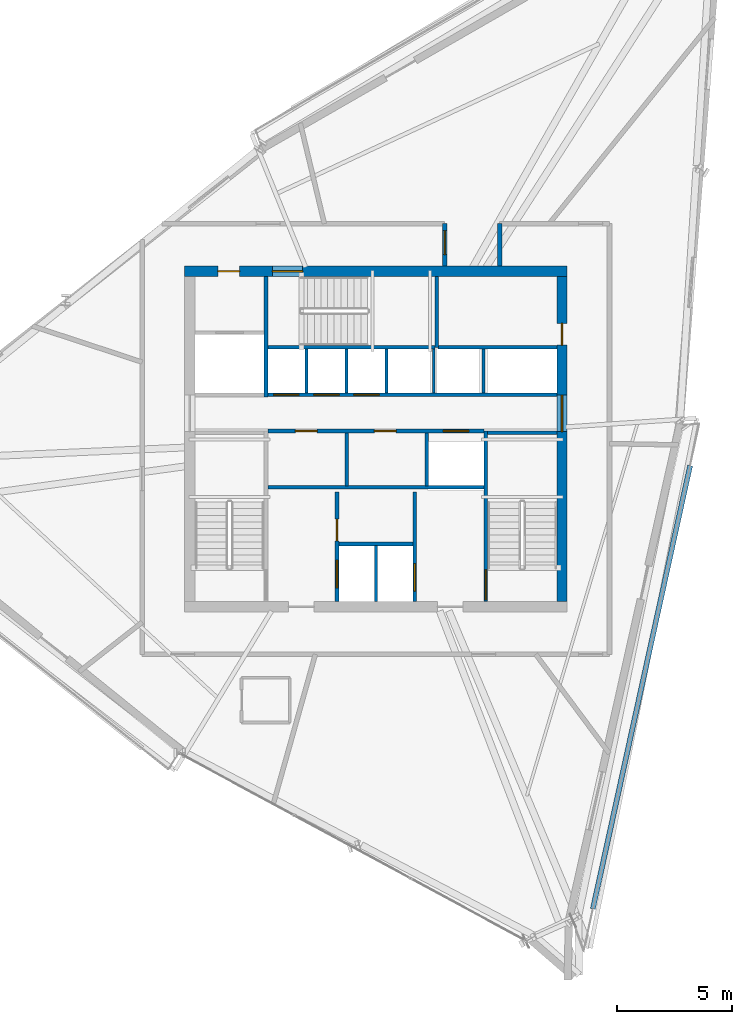
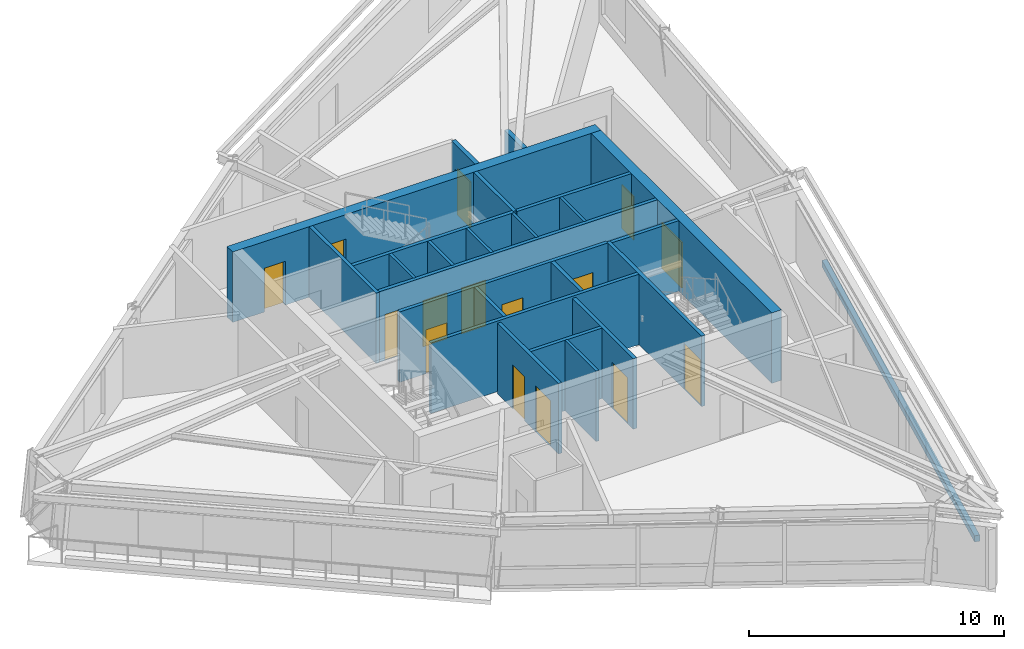
# One storey, part 11 of 15: 25 walls, 15 doors, 15 openings.
"""IFC4 building model written with IfcOpenShell, lengths in metres."""

from ifc_helpers import new_model, si_unit, direction, frame, frame_2d, origin, place, context, subcontext, project, spatial, rectangle, extrude, source, transform, mapped, material, layer, layer_set, type_object, type_shapes, element, fill, save


model = new_model("IFC4")

# Units and contexts
model_context = context("Model", 3, precision=1e-05, world=origin(), true_north=direction((0.0, 1.0)))
body_context = subcontext(model_context, "Body", "Model", "MODEL_VIEW")
ifc_project = project(units=[si_unit("LENGTHUNIT", "METRE"), si_unit("AREAUNIT", "SQUARE_METRE"), si_unit("VOLUMEUNIT", "CUBIC_METRE"), si_unit("PLANEANGLEUNIT", "RADIAN"), si_unit("MASSUNIT", "GRAM", prefix="KILO")], contexts=[model_context])

# Site, building, storey
site_placement = place(None, origin())
site = spatial("IfcSite", under=ifc_project, at=site_placement, CompositionType="ELEMENT")
building_placement = place(site_placement, origin())
building = spatial("IfcBuilding", under=site, at=building_placement, Name="Olszyna Solenne Hotel", CompositionType="ELEMENT")
storey_placement = place(building_placement, frame((0.0, 0.0, 270.5)))
storey = spatial("IfcBuildingStorey", under=building, at=storey_placement, Name="L72", CompositionType="ELEMENT", Elevation=270.5)

# Wall, openings, doors
ifc_material_1 = material(Name="Concrete C50/60", Category="concrete")
ifc_layer_1 = layer(ifc_material_1, 0.449951171875, Name="Concrete C50/60")
ifc_layer_set_1 = layer_set([ifc_layer_1], Name="Concrete C50/60")
wall_type_1 = type_object("IfcWallType", Name="WL-CR450", PredefinedType="SHEAR", material=ifc_layer_set_1)
wall_1_placement = place(storey_placement, frame((29.64990234375, 33.925048828125, 0.0), z_axis=(0.0, 0.0, 1.0), x_axis=(1.0, 0.0, 0.0)))
wall_1 = element("IfcWall", 1, at=wall_1_placement, inside=storey, type_object=wall_type_1, Name="Core shear wall WL-CR450 CRW-L72-N", PredefinedType="SHEAR", context=body_context, shape_type="SweptSolid", body=[
    extrude(rectangle(XDim=16.7001953125, YDim=0.449951171875, at=frame_2d((8.35009765625, 0.0))), origin(), (0.0, 0.0, 1.0), 3.3798828125),
])
opening_1_placement = place(wall_1_placement, frame((1.449951171875, 0.0, 0.0)))
opening_1 = element("IfcOpeningElement", 2, at=opening_1_placement, cuts=wall_1, Name="Opening SVD-L72-01", PredefinedType="OPENING", context=body_context, shape_type="SweptSolid", body=[
    extrude(rectangle(XDim=0.949951171875, YDim=2.10009765625, at=frame_2d((0.47509765625, 1.050048828125))), frame((0.0, 0.23486328125, 0.0), z_axis=(0.0, -1.0, 0.0), x_axis=(1.0, 0.0, 0.0)), (0.0, 0.0, 1.0), 0.469970703125),
])
opening_2_placement = place(wall_1_placement, frame((3.830078125, 0.0, 0.0)))
opening_2 = element("IfcOpeningElement", 3, at=opening_2_placement, cuts=wall_1, Name="Opening STD-L72-03", PredefinedType="OPENING", context=body_context, shape_type="SweptSolid", body=[
    extrude(rectangle(XDim=1.320068359375, YDim=2.199951171875, at=frame_2d((0.66015625, 1.10009765625))), frame((0.0, 0.23486328125, 0.0), z_axis=(0.0, -1.0, 0.0), x_axis=(1.0, 0.0, 0.0)), (0.0, 0.0, 1.0), 0.469970703125),
])
ifc_material_2 = material(Name="Steel S355J2", Category="steel")
door_type_1 = type_object("IfcDoorType", Name="DR-ST1", OperationType="NOTDEFINED", PredefinedType="DOOR", material=ifc_material_2)
shared_shape_1 = source(origin(), body_context, "Body", "SweptSolid", [
    extrude(rectangle(XDim=1.320068359375, YDim=2.199951171875, at=frame_2d((0.66015625, 1.10009765625))), frame((0.0, 0.02490234375, 0.0), z_axis=(0.0, -1.0, 0.0), x_axis=(1.0, 0.0, 0.0)), (0.0, 0.0, 1.0), 0.050048828125),
])
type_shapes(door_type_1, [shared_shape_1])
door_1_placement = place(opening_2_placement, origin())
door_1 = element("IfcDoor", 4, at=door_1_placement, inside=storey, type_object=door_type_1, Name="Pressurised exit stair ST3 fire door STD-L72-03", OperationType="SINGLE_SWING_RIGHT", OverallHeight=2.199951171875, OverallWidth=1.320068359375, PredefinedType="DOOR", context=body_context, shape_type="MappedRepresentation", body=[
    mapped(shared_shape_1, transform((0.0, 0.0, 0.0), x_axis=(1.0, 0.0, 0.0), y_axis=(0.0, 1.0, 0.0), z_axis=(0.0, 0.0, 1.0), scale=1.0)),
])
fill(opening_2, door_1)
door_type_2 = type_object("IfcDoorType", Name="DR-SV1", OperationType="NOTDEFINED", PredefinedType="DOOR", material=ifc_material_2)
shared_shape_2 = source(origin(), body_context, "Body", "SweptSolid", [
    extrude(rectangle(XDim=0.949951171875, YDim=2.10009765625, at=frame_2d((0.47509765625, 1.050048828125))), frame((0.0, 0.02490234375, 0.0), z_axis=(0.0, -1.0, 0.0), x_axis=(1.0, 0.0, 0.0)), (0.0, 0.0, 1.0), 0.050048828125),
])
type_shapes(door_type_2, [shared_shape_2])
door_2_placement = place(opening_1_placement, origin())
door_2 = element("IfcDoor", 5, at=door_2_placement, inside=storey, type_object=door_type_2, Name="Service lift lobby fire door SVD-L72-01", OperationType="SINGLE_SWING_LEFT", OverallHeight=2.10009765625, OverallWidth=0.949951171875, PredefinedType="DOOR", context=body_context, shape_type="MappedRepresentation", body=[
    mapped(shared_shape_2, transform((0.0, 0.0, 0.0), x_axis=(1.0, 0.0, 0.0), y_axis=(0.0, 1.0, 0.0), z_axis=(0.0, 0.0, 1.0), scale=1.0)),
])
fill(opening_1, door_2)

wall_2_placement = place(storey_placement, frame((46.125, 33.699951171875, 0.0), z_axis=(0.0, 0.0, 1.0), x_axis=(0.0, -1.0, 0.0)))
wall_2 = element("IfcWall", 6, at=wall_2_placement, inside=storey, type_object=wall_type_1, Name="Core shear wall WL-CR450 CRW-L72-E", PredefinedType="SHEAR", context=body_context, shape_type="SweptSolid", body=[
    extrude(rectangle(XDim=14.199951171875, YDim=0.449951171875, at=frame_2d((7.10009765625, 0.0))), origin(), (0.0, 0.0, 1.0), 3.3798828125),
])
opening_3_placement = place(wall_2_placement, frame((5.179931640625, 0.0, 0.0)))
opening_3 = element("IfcOpeningElement", 7, at=opening_3_placement, cuts=wall_2, Name="Opening LHD-L72-E", PredefinedType="OPENING", context=body_context, shape_type="SweptSolid", body=[
    extrude(rectangle(XDim=1.60009765625, YDim=2.199951171875, at=frame_2d((0.800048828125, 1.10009765625))), frame((0.0, 0.23486328125, 0.0), z_axis=(0.0, -1.0, 0.0), x_axis=(1.0, 0.0, 0.0)), (0.0, 0.0, 1.0), 0.469970703125),
])
opening_4_placement = place(wall_2_placement, frame((2.050048828125, 0.0, 0.0)))
opening_4 = element("IfcOpeningElement", 8, at=opening_4_placement, cuts=wall_2, Name="Opening SVD-L72-BE", PredefinedType="OPENING", context=body_context, shape_type="SweptSolid", body=[
    extrude(rectangle(XDim=0.949951171875, YDim=2.10009765625, at=frame_2d((0.47509765625, 1.050048828125))), frame((0.0, 0.23486328125, 0.0), z_axis=(0.0, -1.0, 0.0), x_axis=(1.0, 0.0, 0.0)), (0.0, 0.0, 1.0), 0.469970703125),
])
door_3_placement = place(opening_4_placement, origin())
door_3 = element("IfcDoor", 9, at=door_3_placement, inside=storey, type_object=door_type_2, Name="Housekeeping core fire door SVD-L72-BE", OperationType="SINGLE_SWING_RIGHT", OverallHeight=2.10009765625, OverallWidth=0.949951171875, PredefinedType="DOOR", context=body_context, shape_type="MappedRepresentation", body=[
    mapped(shared_shape_2, transform((0.0, 0.0, 0.0), x_axis=(1.0, 0.0, 0.0), y_axis=(0.0, 1.0, 0.0), z_axis=(0.0, 0.0, 1.0), scale=1.0)),
])
fill(opening_4, door_3)
ifc_material_3 = material(Name="Timber hardwood", Category="wood")
door_type_3 = type_object("IfcDoorType", Name="DR-CR1", OperationType="DOUBLE_DOOR_SINGLE_SWING", PredefinedType="DOOR", material=ifc_material_3)
shared_shape_3 = source(origin(), body_context, "Body", "SweptSolid", [
    extrude(rectangle(XDim=1.60009765625, YDim=2.199951171875, at=frame_2d((0.800048828125, 1.10009765625))), frame((0.0, 0.02490234375, 0.0), z_axis=(0.0, -1.0, 0.0), x_axis=(1.0, 0.0, 0.0)), (0.0, 0.0, 1.0), 0.050048828125),
])
type_shapes(door_type_3, [shared_shape_3])
door_4_placement = place(opening_3_placement, origin())
door_4 = element("IfcDoor", 10, at=door_4_placement, inside=storey, type_object=door_type_3, Name="Passenger lift lobby East fire door LHD-L72-E", OperationType="DOUBLE_DOOR_SINGLE_SWING", OverallHeight=2.199951171875, OverallWidth=1.60009765625, PredefinedType="DOOR", context=body_context, shape_type="MappedRepresentation", body=[
    mapped(shared_shape_3, transform((0.0, 0.0, 0.0), x_axis=(1.0, 0.0, 0.0), y_axis=(0.0, 1.0, 0.0), z_axis=(0.0, 0.0, 1.0), scale=1.0)),
])
fill(opening_3, door_4)

# Walls
ifc_material_4 = material(Name="Precast concrete C45/55", Category="concrete")
ifc_layer_2 = layer(ifc_material_4, 0.219970703125, Name="Precast concrete C45/55")
ifc_layer_set_2 = layer_set([ifc_layer_2], Name="Precast concrete C45/55")
wall_type_2 = type_object("IfcWallType", Name="WL-PR220", PredefinedType="PARAPET", material=ifc_layer_set_2)
wall_3_placement = place(storey_placement, frame((47.473388671875, 6.088134765625, 0.0), z_axis=(0.0, 0.0, 1.0), x_axis=(0.214309508329, 0.976765803373, 0.0)))
element("IfcWall", 11, at=wall_3_placement, inside=storey, type_object=wall_type_2, Name="Loggia balcony precast kerb PR-L72-LG3", PredefinedType="PARAPET", context=body_context, shape_type="SweptSolid", body=[
    extrude(rectangle(XDim=19.810546875, YDim=0.219970703125, at=frame_2d((9.9052734375, 0.0))), origin(), (0.0, 0.0, 1.0), 0.300048828125),
])
ifc_material_5 = material(Name="Acoustic gypsum partition", Category="gypsum")
ifc_layer_3 = layer(ifc_material_5, 0.125, Name="Acoustic gypsum partition")
ifc_layer_set_3 = layer_set([ifc_layer_3], Name="Acoustic gypsum partition")
wall_type_3 = type_object("IfcWallType", Name="WL-PT125", PredefinedType="PARTITIONING", material=ifc_layer_set_3)
wall_4_placement = place(storey_placement, frame((38.0, 19.5, 0.0), z_axis=(0.0, 0.0, 1.0), x_axis=(0.0, 1.0, 0.0)))
element("IfcWall", 12, at=wall_4_placement, inside=storey, type_object=wall_type_3, Name="Core shaft compartment wall CW-L72-FFM", PredefinedType="PARTITIONING", context=body_context, shape_type="SweptSolid", body=[
    extrude(rectangle(XDim=2.4599609375, YDim=0.125, at=frame_2d((1.22998046875, 0.0))), origin(), (0.0, 0.0, 1.0), 3.3798828125),
])
for number, where, z_axis, x_axis, name in (
    (13, (34.965087890625, 28.60009765625, 0.0), (0.0, 0.0, 1.0), (0.0, 1.0, 0.0), "Core shaft compartment wall CW-L72-DIVN349"),
    (14, (36.715087890625, 28.60009765625, 0.0), (0.0, 0.0, 1.0), (0.0, 1.0, 0.0), "Core shaft compartment wall CW-L72-DIVN367"),
    (15, (38.465087890625, 28.60009765625, 0.0), (0.0, 0.0, 1.0), (0.0, 1.0, 0.0), "Core shaft compartment wall CW-L72-DIVN384"),
    (16, (40.52490234375, 28.60009765625, 0.0), (0.0, 0.0, 1.0), (0.0, 1.0, 0.0), "Core shaft compartment wall CW-L72-DIVEX405"),
    (17, (42.699951171875, 28.60009765625, 0.0), (0.0, 0.0, 1.0), (0.0, 1.0, 0.0), "Core shaft compartment wall CW-L72-DIVEX427"),
):
    element("IfcWall", number, at=place(storey_placement, frame(where, z_axis=z_axis, x_axis=x_axis)), inside=storey, type_object=wall_type_3, Name=name, PredefinedType="PARTITIONING", context=body_context, shape_type="SweptSolid", body=[
        extrude(rectangle(XDim=1.919921875, YDim=0.125, at=frame_2d((0.9599609375, 0.0))), origin(), (0.0, 0.0, 1.0), 3.3798828125),
    ])

# Wall, opening, door
ifc_layer_4 = layer(ifc_material_5, 0.159912109375, Name="Acoustic gypsum partition")
ifc_layer_set_4 = layer_set([ifc_layer_4], Name="Acoustic gypsum partition")
wall_type_4 = type_object("IfcWallType", Name="WL-PT160", PredefinedType="PARTITIONING", material=ifc_layer_set_4)
wall_5_placement = place(storey_placement, frame((42.800048828125, 26.9599609375, 0.0), z_axis=(0.0, 0.0, 1.0), x_axis=(0.0, -1.0, 0.0)))
wall_5 = element("IfcWall", 18, at=wall_5_placement, inside=storey, type_object=wall_type_4, Name="Core shaft compartment wall CW-L72-ST2W", PredefinedType="PARTITIONING", context=body_context, shape_type="SweptSolid", body=[
    extrude(rectangle(XDim=7.4599609375, YDim=0.159912109375, at=frame_2d((3.72998046875, 0.0))), origin(), (0.0, 0.0, 1.0), 3.3798828125),
])
opening_5_placement = place(wall_5_placement, frame((6.06005859375, 0.0, 0.0)))
opening_5 = element("IfcOpeningElement", 19, at=opening_5_placement, cuts=wall_5, Name="Opening STD-L72-02", PredefinedType="OPENING", context=body_context, shape_type="SweptSolid", body=[
    extrude(rectangle(XDim=1.320068359375, YDim=2.199951171875, at=frame_2d((0.66015625, 1.10009765625))), frame((0.0, 0.08984375, 0.0), z_axis=(0.0, -1.0, 0.0), x_axis=(1.0, 0.0, 0.0)), (0.0, 0.0, 1.0), 0.179931640625),
])
door_5_placement = place(opening_5_placement, origin())
door_5 = element("IfcDoor", 20, at=door_5_placement, inside=storey, type_object=door_type_1, Name="Pressurised exit stair ST2 fire door STD-L72-02", OperationType="SINGLE_SWING_RIGHT", OverallHeight=2.199951171875, OverallWidth=1.320068359375, PredefinedType="DOOR", context=body_context, shape_type="MappedRepresentation", body=[
    mapped(shared_shape_1, transform((0.0, 0.0, 0.0), x_axis=(1.0, 0.0, 0.0), y_axis=(0.0, 1.0, 0.0), z_axis=(0.0, 0.0, 1.0), scale=1.0)),
])
fill(opening_5, door_5)

# Walls
wall_6_placement = place(storey_placement, frame((42.8798828125, 26.8798828125, 0.0), z_axis=(0.0, 0.0, 1.0), x_axis=(1.0, 0.0, 0.0)))
element("IfcWall", 21, at=wall_6_placement, inside=storey, type_object=wall_type_4, Name="Core shaft compartment wall CW-L72-ST2N", PredefinedType="PARTITIONING", context=body_context, shape_type="SweptSolid", body=[
    extrude(rectangle(XDim=3.02001953125, YDim=0.159912109375, at=frame_2d((1.510009765625, 0.0))), origin(), (0.0, 0.0, 1.0), 3.3798828125),
])
wall_7_placement = place(storey_placement, frame((33.280029296875, 30.60009765625, 0.0), z_axis=(0.0, 0.0, 1.0), x_axis=(1.0, 0.0, 0.0)))
element("IfcWall", 22, at=wall_7_placement, inside=storey, type_object=wall_type_4, Name="Core shaft compartment wall CW-L72-ST3S", PredefinedType="PARTITIONING", context=body_context, shape_type="SweptSolid", body=[
    extrude(rectangle(XDim=7.300048828125, YDim=0.159912109375, at=frame_2d((3.64990234375, 0.0))), origin(), (0.0, 0.0, 1.0), 3.3798828125),
])
wall_8_placement = place(storey_placement, frame((40.659912109375, 30.60009765625, 0.0), z_axis=(0.0, 0.0, 1.0), x_axis=(0.0, 1.0, 0.0)))
element("IfcWall", 23, at=wall_8_placement, inside=storey, type_object=wall_type_4, Name="Core shaft compartment wall CW-L72-ST3E", PredefinedType="PARTITIONING", context=body_context, shape_type="SweptSolid", body=[
    extrude(rectangle(XDim=3.099853515625, YDim=0.159912109375, at=frame_2d((1.5498046875, 0.0))), origin(), (0.0, 0.0, 1.0), 3.3798828125),
])

# Wall, openings, doors
wall_9_placement = place(storey_placement, frame((36.300048828125, 19.5, 0.0), z_axis=(0.0, 0.0, 1.0), x_axis=(0.0, 1.0, 0.0)))
wall_9 = element("IfcWall", 24, at=wall_9_placement, inside=storey, type_object=wall_type_4, Name="Core shaft compartment wall CW-L72-FF1W", PredefinedType="PARTITIONING", context=body_context, shape_type="SweptSolid", body=[
    extrude(rectangle(XDim=4.780029296875, YDim=0.159912109375, at=frame_2d((2.39013671875, 0.0))), origin(), (0.0, 0.0, 1.0), 3.3798828125),
])
opening_6_placement = place(wall_9_placement, frame((0.60009765625, 0.0, 0.0)))
opening_6 = element("IfcOpeningElement", 25, at=opening_6_placement, cuts=wall_9, Name="Opening LD-L72-FF1", PredefinedType="OPENING", context=body_context, shape_type="SweptSolid", body=[
    extrude(rectangle(XDim=1.199951171875, YDim=2.199951171875, at=frame_2d((0.60009765625, 1.10009765625))), frame((0.0, 0.08984375, 0.0), z_axis=(0.0, -1.0, 0.0), x_axis=(1.0, 0.0, 0.0)), (0.0, 0.0, 1.0), 0.179931640625),
])
opening_7_placement = place(wall_9_placement, frame((2.64990234375, 0.0, 0.0)))
opening_7 = element("IfcOpeningElement", 26, at=opening_7_placement, cuts=wall_9, Name="Opening SVD-L72-SMK", PredefinedType="OPENING", context=body_context, shape_type="SweptSolid", body=[
    extrude(rectangle(XDim=0.949951171875, YDim=2.10009765625, at=frame_2d((0.47509765625, 1.050048828125))), frame((0.0, 0.08984375, 0.0), z_axis=(0.0, -1.0, 0.0), x_axis=(1.0, 0.0, 0.0)), (0.0, 0.0, 1.0), 0.179931640625),
])
door_6_placement = place(opening_7_placement, origin())
door_6 = element("IfcDoor", 27, at=door_6_placement, inside=storey, type_object=door_type_2, Name="Valet and core service room door SVD-L72-SMK", OperationType="SINGLE_SWING_LEFT", OverallHeight=2.10009765625, OverallWidth=0.949951171875, PredefinedType="DOOR", context=body_context, shape_type="MappedRepresentation", body=[
    mapped(shared_shape_2, transform((0.0, 0.0, 0.0), x_axis=(1.0, 0.0, 0.0), y_axis=(0.0, 1.0, 0.0), z_axis=(0.0, 0.0, 1.0), scale=1.0)),
])
fill(opening_7, door_6)
door_type_4 = type_object("IfcDoorType", Name="LD-FF1", OperationType="DOUBLE_DOOR_SLIDING", PredefinedType="DOOR", material=ifc_material_2)
shared_shape_4 = source(origin(), body_context, "Body", "SweptSolid", [
    extrude(rectangle(XDim=1.199951171875, YDim=2.199951171875, at=frame_2d((0.60009765625, 1.10009765625))), frame((0.0, 0.02490234375, 0.0), z_axis=(0.0, -1.0, 0.0), x_axis=(1.0, 0.0, 0.0)), (0.0, 0.0, 1.0), 0.050048828125),
])
type_shapes(door_type_4, [shared_shape_4])
door_7_placement = place(opening_6_placement, origin())
door_7 = element("IfcDoor", 28, at=door_7_placement, inside=storey, type_object=door_type_4, Name="Firefighters lift FF1 sliding landing door LD-L72-FF1", OperationType="DOUBLE_DOOR_SLIDING", OverallHeight=2.199951171875, OverallWidth=1.199951171875, PredefinedType="DOOR", context=body_context, shape_type="MappedRepresentation", body=[
    mapped(shared_shape_4, transform((0.0, 0.0, 0.0), x_axis=(1.0, 0.0, 0.0), y_axis=(0.0, 1.0, 0.0), z_axis=(0.0, 0.0, 1.0), scale=1.0)),
])
fill(opening_6, door_7)

# Wall, opening, door
wall_10_placement = place(storey_placement, frame((39.699951171875, 24.280029296875, 0.0), z_axis=(0.0, 0.0, 1.0), x_axis=(0.0, -1.0, 0.0)))
wall_10 = element("IfcWall", 29, at=wall_10_placement, inside=storey, type_object=wall_type_4, Name="Core shaft compartment wall CW-L72-FF2E", PredefinedType="PARTITIONING", context=body_context, shape_type="SweptSolid", body=[
    extrude(rectangle(XDim=4.780029296875, YDim=0.159912109375, at=frame_2d((2.39013671875, 0.0))), origin(), (0.0, 0.0, 1.0), 3.3798828125),
])
opening_8_placement = place(wall_10_placement, frame((3.1201171875, 0.0, 0.0)))
opening_8 = element("IfcOpeningElement", 30, at=opening_8_placement, cuts=wall_10, Name="Opening LD-L72-FF2", PredefinedType="OPENING", context=body_context, shape_type="SweptSolid", body=[
    extrude(rectangle(XDim=1.199951171875, YDim=2.199951171875, at=frame_2d((0.60009765625, 1.10009765625))), frame((0.0, 0.08984375, 0.0), z_axis=(0.0, -1.0, 0.0), x_axis=(1.0, 0.0, 0.0)), (0.0, 0.0, 1.0), 0.179931640625),
])
door_8_placement = place(opening_8_placement, origin())
door_8 = element("IfcDoor", 31, at=door_8_placement, inside=storey, type_object=door_type_4, Name="Firefighters lift FF2 sliding landing door LD-L72-FF2", OperationType="DOUBLE_DOOR_SLIDING", OverallHeight=2.199951171875, OverallWidth=1.199951171875, PredefinedType="DOOR", context=body_context, shape_type="MappedRepresentation", body=[
    mapped(shared_shape_4, transform((0.0, 0.0, 0.0), x_axis=(1.0, 0.0, 0.0), y_axis=(0.0, 1.0, 0.0), z_axis=(0.0, 0.0, 1.0), scale=1.0)),
])
fill(opening_8, door_8)

# Walls
wall_11_placement = place(storey_placement, frame((36.3798828125, 22.02001953125, 0.0), z_axis=(0.0, 0.0, 1.0), x_axis=(1.0, 0.0, 0.0)))
element("IfcWall", 32, at=wall_11_placement, inside=storey, type_object=wall_type_4, Name="Core shaft compartment wall CW-L72-FFN", PredefinedType="PARTITIONING", context=body_context, shape_type="SweptSolid", body=[
    extrude(rectangle(XDim=3.240234375, YDim=0.159912109375, at=frame_2d((1.6201171875, 0.0))), origin(), (0.0, 0.0, 1.0), 3.3798828125),
])
wall_12_placement = place(storey_placement, frame((33.280029296875, 24.489990234375, 0.0), z_axis=(0.0, 0.0, 1.0), x_axis=(1.0, 0.0, 0.0)))
element("IfcWall", 33, at=wall_12_placement, inside=storey, type_object=wall_type_4, Name="Core shaft compartment wall CW-L72-FFBN", PredefinedType="PARTITIONING", context=body_context, shape_type="SweptSolid", body=[
    extrude(rectangle(XDim=9.43994140625, YDim=0.159912109375, at=frame_2d((4.719970703125, 0.0))), origin(), (0.0, 0.0, 1.0), 3.3798828125),
])
wall_13_placement = place(storey_placement, frame((33.199951171875, 28.43994140625, 0.0), z_axis=(0.0, 0.0, 1.0), x_axis=(0.0, 1.0, 0.0)))
element("IfcWall", 34, at=wall_13_placement, inside=storey, type_object=wall_type_4, Name="Core shaft compartment wall CW-L72-SV1E", PredefinedType="PARTITIONING", context=body_context, shape_type="SweptSolid", body=[
    extrude(rectangle(XDim=5.260009765625, YDim=0.159912109375, at=frame_2d((2.6298828125, 0.0))), origin(), (0.0, 0.0, 1.0), 3.3798828125),
])

# Wall, openings, doors
wall_14_placement = place(storey_placement, frame((33.280029296875, 26.949951171875, 0.0), z_axis=(0.0, 0.0, 1.0), x_axis=(1.0, 0.0, 0.0)))
wall_14 = element("IfcWall", 35, at=wall_14_placement, inside=storey, type_object=wall_type_4, Name="Core shaft compartment wall CW-L72-LRS", PredefinedType="PARTITIONING", context=body_context, shape_type="SweptSolid", body=[
    extrude(rectangle(XDim=9.43994140625, YDim=0.159912109375, at=frame_2d((4.719970703125, 0.0))), origin(), (0.0, 0.0, 1.0), 3.3798828125),
])
opening_9_placement = place(wall_14_placement, frame((1.199951171875, 0.0, 0.0)))
opening_9 = element("IfcOpeningElement", 36, at=opening_9_placement, cuts=wall_14, Name="Opening SVD-L72-L71", PredefinedType="OPENING", context=body_context, shape_type="SweptSolid", body=[
    extrude(rectangle(XDim=0.949951171875, YDim=2.10009765625, at=frame_2d((0.47509765625, 1.050048828125))), frame((0.0, 0.08984375, 0.0), z_axis=(0.0, -1.0, 0.0), x_axis=(1.0, 0.0, 0.0)), (0.0, 0.0, 1.0), 0.179931640625),
])
opening_10_placement = place(wall_14_placement, frame((4.64990234375, 0.0, 0.0)))
opening_10 = element("IfcOpeningElement", 37, at=opening_10_placement, cuts=wall_14, Name="Opening SVD-L72-L72", PredefinedType="OPENING", context=body_context, shape_type="SweptSolid", body=[
    extrude(rectangle(XDim=0.949951171875, YDim=2.10009765625, at=frame_2d((0.47509765625, 1.050048828125))), frame((0.0, 0.08984375, 0.0), z_axis=(0.0, -1.0, 0.0), x_axis=(1.0, 0.0, 0.0)), (0.0, 0.0, 1.0), 0.179931640625),
])
opening_11_placement = place(wall_14_placement, frame((7.669921875, 0.0, 0.0)))
opening_11 = element("IfcOpeningElement", 38, at=opening_11_placement, cuts=wall_14, Name="Opening LD-L72-PL5", PredefinedType="OPENING", context=body_context, shape_type="SweptSolid", body=[
    extrude(rectangle(XDim=1.10009765625, YDim=2.199951171875, at=frame_2d((0.550048828125, 1.10009765625))), frame((0.0, 0.08984375, 0.0), z_axis=(0.0, -1.0, 0.0), x_axis=(1.0, 0.0, 0.0)), (0.0, 0.0, 1.0), 0.179931640625),
])
door_9_placement = place(opening_9_placement, origin())
door_9 = element("IfcDoor", 39, at=door_9_placement, inside=storey, type_object=door_type_2, Name="Recaptured core room fire door SVD-L72-L71", OperationType="SINGLE_SWING_LEFT", OverallHeight=2.10009765625, OverallWidth=0.949951171875, PredefinedType="DOOR", context=body_context, shape_type="MappedRepresentation", body=[
    mapped(shared_shape_2, transform((0.0, 0.0, 0.0), x_axis=(1.0, 0.0, 0.0), y_axis=(0.0, 1.0, 0.0), z_axis=(0.0, 0.0, 1.0), scale=1.0)),
])
fill(opening_9, door_9)
door_10_placement = place(opening_10_placement, origin())
door_10 = element("IfcDoor", 40, at=door_10_placement, inside=storey, type_object=door_type_2, Name="Recaptured core room fire door SVD-L72-L72", OperationType="SINGLE_SWING_RIGHT", OverallHeight=2.10009765625, OverallWidth=0.949951171875, PredefinedType="DOOR", context=body_context, shape_type="MappedRepresentation", body=[
    mapped(shared_shape_2, transform((0.0, 0.0, 0.0), x_axis=(1.0, 0.0, 0.0), y_axis=(0.0, 1.0, 0.0), z_axis=(0.0, 0.0, 1.0), scale=1.0)),
])
fill(opening_10, door_10)
door_type_5 = type_object("IfcDoorType", Name="LD-P1", OperationType="DOUBLE_DOOR_SLIDING", PredefinedType="DOOR", material=ifc_material_2)
shared_shape_5 = source(origin(), body_context, "Body", "SweptSolid", [
    extrude(rectangle(XDim=1.10009765625, YDim=2.199951171875, at=frame_2d((0.550048828125, 1.10009765625))), frame((0.0, 0.02490234375, 0.0), z_axis=(0.0, -1.0, 0.0), x_axis=(1.0, 0.0, 0.0)), (0.0, 0.0, 1.0), 0.050048828125),
])
type_shapes(door_type_5, [shared_shape_5])
door_11_placement = place(opening_11_placement, origin())
door_11 = element("IfcDoor", 41, at=door_11_placement, inside=storey, type_object=door_type_5, Name="Passenger lift PL5 sliding landing door LD-L72-PL5", OperationType="DOUBLE_DOOR_SLIDING", OverallHeight=2.199951171875, OverallWidth=1.10009765625, PredefinedType="DOOR", context=body_context, shape_type="MappedRepresentation", body=[
    mapped(shared_shape_5, transform((0.0, 0.0, 0.0), x_axis=(1.0, 0.0, 0.0), y_axis=(0.0, 1.0, 0.0), z_axis=(0.0, 0.0, 1.0), scale=1.0)),
])
fill(opening_11, door_11)

# Walls
for number, where, z_axis, x_axis, name in (
    (42, (36.72998046875, 24.56005859375, 0.0), (0.0, 0.0, 1.0), (0.0, 1.0, 0.0), "Core shaft compartment wall CW-L72-LV7DIV1"),
    (43, (40.215087890625, 24.56005859375, 0.0), (0.0, 0.0, 1.0), (0.0, 1.0, 0.0), "Core shaft compartment wall CW-L72-LV7DIV2"),
):
    element("IfcWall", number, at=place(storey_placement, frame(where, z_axis=z_axis, x_axis=x_axis)), inside=storey, type_object=wall_type_4, Name=name, PredefinedType="PARTITIONING", context=body_context, shape_type="SweptSolid", body=[
        extrude(rectangle(XDim=2.31005859375, YDim=0.159912109375, at=frame_2d((1.155029296875, 0.0))), origin(), (0.0, 0.0, 1.0), 3.3798828125),
    ])

# Wall, openings, doors
wall_15_placement = place(storey_placement, frame((33.280029296875, 28.5400390625, 0.0), z_axis=(0.0, 0.0, 1.0), x_axis=(1.0, 0.0, 0.0)))
wall_15 = element("IfcWall", 44, at=wall_15_placement, inside=storey, type_object=wall_type_4, Name="Core shaft compartment wall CW-L72-LRN", PredefinedType="PARTITIONING", context=body_context, shape_type="SweptSolid", body=[
    extrude(rectangle(XDim=12.619873046875, YDim=0.159912109375, at=frame_2d((6.31005859375, 0.0))), origin(), (0.0, 0.0, 1.0), 3.3798828125),
])
opening_12_placement = place(wall_15_placement, frame((0.260009765625, 0.0, 0.0)))
opening_12 = element("IfcOpeningElement", 45, at=opening_12_placement, cuts=wall_15, Name="Opening LD-L72-PL6", PredefinedType="OPENING", context=body_context, shape_type="SweptSolid", body=[
    extrude(rectangle(XDim=1.10009765625, YDim=2.199951171875, at=frame_2d((0.550048828125, 1.10009765625))), frame((0.0, 0.08984375, 0.0), z_axis=(0.0, -1.0, 0.0), x_axis=(1.0, 0.0, 0.0)), (0.0, 0.0, 1.0), 0.179931640625),
])
opening_13_placement = place(wall_15_placement, frame((2.010009765625, 0.0, 0.0)))
opening_13 = element("IfcOpeningElement", 46, at=opening_13_placement, cuts=wall_15, Name="Opening LD-L72-PL7", PredefinedType="OPENING", context=body_context, shape_type="SweptSolid", body=[
    extrude(rectangle(XDim=1.10009765625, YDim=2.199951171875, at=frame_2d((0.550048828125, 1.10009765625))), frame((0.0, 0.08984375, 0.0), z_axis=(0.0, -1.0, 0.0), x_axis=(1.0, 0.0, 0.0)), (0.0, 0.0, 1.0), 0.179931640625),
])
opening_14_placement = place(wall_15_placement, frame((3.760009765625, 0.0, 0.0)))
opening_14 = element("IfcOpeningElement", 47, at=opening_14_placement, cuts=wall_15, Name="Opening LD-L72-PL8", PredefinedType="OPENING", context=body_context, shape_type="SweptSolid", body=[
    extrude(rectangle(XDim=1.10009765625, YDim=2.199951171875, at=frame_2d((0.550048828125, 1.10009765625))), frame((0.0, 0.08984375, 0.0), z_axis=(0.0, -1.0, 0.0), x_axis=(1.0, 0.0, 0.0)), (0.0, 0.0, 1.0), 0.179931640625),
])
door_12_placement = place(opening_12_placement, origin())
door_12 = element("IfcDoor", 48, at=door_12_placement, inside=storey, type_object=door_type_5, Name="Passenger lift PL6 sliding landing door LD-L72-PL6", OperationType="DOUBLE_DOOR_SLIDING", OverallHeight=2.199951171875, OverallWidth=1.10009765625, PredefinedType="DOOR", context=body_context, shape_type="MappedRepresentation", body=[
    mapped(shared_shape_5, transform((0.0, 0.0, 0.0), x_axis=(1.0, 0.0, 0.0), y_axis=(0.0, 1.0, 0.0), z_axis=(0.0, 0.0, 1.0), scale=1.0)),
])
fill(opening_12, door_12)
door_13_placement = place(opening_13_placement, origin())
door_13 = element("IfcDoor", 49, at=door_13_placement, inside=storey, type_object=door_type_5, Name="Passenger lift PL7 sliding landing door LD-L72-PL7", OperationType="DOUBLE_DOOR_SLIDING", OverallHeight=2.199951171875, OverallWidth=1.10009765625, PredefinedType="DOOR", context=body_context, shape_type="MappedRepresentation", body=[
    mapped(shared_shape_5, transform((0.0, 0.0, 0.0), x_axis=(1.0, 0.0, 0.0), y_axis=(0.0, 1.0, 0.0), z_axis=(0.0, 0.0, 1.0), scale=1.0)),
])
fill(opening_13, door_13)
door_14_placement = place(opening_14_placement, origin())
door_14 = element("IfcDoor", 50, at=door_14_placement, inside=storey, type_object=door_type_5, Name="Passenger lift PL8 sliding landing door LD-L72-PL8", OperationType="DOUBLE_DOOR_SLIDING", OverallHeight=2.199951171875, OverallWidth=1.10009765625, PredefinedType="DOOR", context=body_context, shape_type="MappedRepresentation", body=[
    mapped(shared_shape_5, transform((0.0, 0.0, 0.0), x_axis=(1.0, 0.0, 0.0), y_axis=(0.0, 1.0, 0.0), z_axis=(0.0, 0.0, 1.0), scale=1.0)),
])
fill(opening_14, door_14)

# Wall
wall_16_placement = place(storey_placement, frame((40.719970703125, 30.60009765625, 0.0), z_axis=(0.0, 0.0, 1.0), x_axis=(1.0, 0.0, 0.0)))
element("IfcWall", 51, at=wall_16_placement, inside=storey, type_object=wall_type_4, Name="Core shaft compartment wall CW-L72-LRNTOP", PredefinedType="PARTITIONING", context=body_context, shape_type="SweptSolid", body=[
    extrude(rectangle(XDim=5.179931640625, YDim=0.159912109375, at=frame_2d((2.58984375, 0.0))), origin(), (0.0, 0.0, 1.0), 3.3798828125),
])

# Wall, opening, door
ifc_layer_5 = layer(ifc_material_5, 0.199951171875, Name="Acoustic gypsum partition")
ifc_layer_set_5 = layer_set([ifc_layer_5], Name="Acoustic gypsum partition")
wall_type_5 = type_object("IfcWallType", Name="WL-PT200", PredefinedType="PARTITIONING", material=ifc_layer_set_5)
wall_17_placement = place(storey_placement, frame((41.0, 34.14990234375, 0.0), z_axis=(0.0, 0.0, 1.0), x_axis=(0.0, 1.0, 0.0)))
wall_17 = element("IfcWall", 52, at=wall_17_placement, inside=storey, type_object=wall_type_5, Name="Interior acoustic partition WL-PT200 PW-L72-3978", PredefinedType="PARTITIONING", context=body_context, shape_type="SweptSolid", body=[
    extrude(rectangle(XDim=1.85009765625, YDim=0.199951171875, at=frame_2d((0.925048828125, 0.0))), origin(), (0.0, 0.0, 1.0), 3.3798828125),
])
opening_15_placement = place(wall_17_placement, frame((0.5, 0.0, 0.0)))
opening_15 = element("IfcOpeningElement", 53, at=opening_15_placement, cuts=wall_17, Name="Opening DR-L72-0966", PredefinedType="OPENING", context=body_context, shape_type="SweptSolid", body=[
    extrude(rectangle(XDim=1.050048828125, YDim=2.199951171875, at=frame_2d((0.52490234375, 1.10009765625))), frame((0.0, 0.10986328125, 0.0), z_axis=(0.0, -1.0, 0.0), x_axis=(1.0, 0.0, 0.0)), (0.0, 0.0, 1.0), 0.219970703125),
])
door_type_6 = type_object("IfcDoorType", Name="DR-RM2", OperationType="NOTDEFINED", PredefinedType="DOOR", material=ifc_material_3)
shared_shape_6 = source(origin(), body_context, "Body", "SweptSolid", [
    extrude(rectangle(XDim=1.050048828125, YDim=2.199951171875, at=frame_2d((0.52490234375, 1.10009765625))), frame((0.0, 0.02490234375, 0.0), z_axis=(0.0, -1.0, 0.0), x_axis=(1.0, 0.0, 0.0)), (0.0, 0.0, 1.0), 0.050048828125),
])
type_shapes(door_type_6, [shared_shape_6])
door_15_placement = place(opening_15_placement, origin())
door_15 = element("IfcDoor", 54, at=door_15_placement, inside=storey, type_object=door_type_6, Name="Wellness Spa Studio Entrance Door DR-L72-0966", OperationType="SINGLE_SWING_RIGHT", OverallHeight=2.199951171875, OverallWidth=1.050048828125, PredefinedType="DOOR", context=body_context, shape_type="MappedRepresentation", body=[
    mapped(shared_shape_6, transform((0.0, 0.0, 0.0), x_axis=(1.0, 0.0, 0.0), y_axis=(0.0, 1.0, 0.0), z_axis=(0.0, 0.0, 1.0), scale=1.0)),
])
fill(opening_15, door_15)

# Wall
wall_18_placement = place(storey_placement, frame((43.39990234375, 34.14990234375, 0.0), z_axis=(0.0, 0.0, 1.0), x_axis=(0.0, 1.0, 0.0)))
element("IfcWall", 55, at=wall_18_placement, inside=storey, type_object=wall_type_5, Name="Interior acoustic partition WL-PT200 PW-L72-3980", PredefinedType="PARTITIONING", context=body_context, shape_type="SweptSolid", body=[
    extrude(rectangle(XDim=1.85009765625, YDim=0.199951171875, at=frame_2d((0.925048828125, 0.0))), origin(), (0.0, 0.0, 1.0), 3.054931640625),
])

save(model, "model.ifc")
